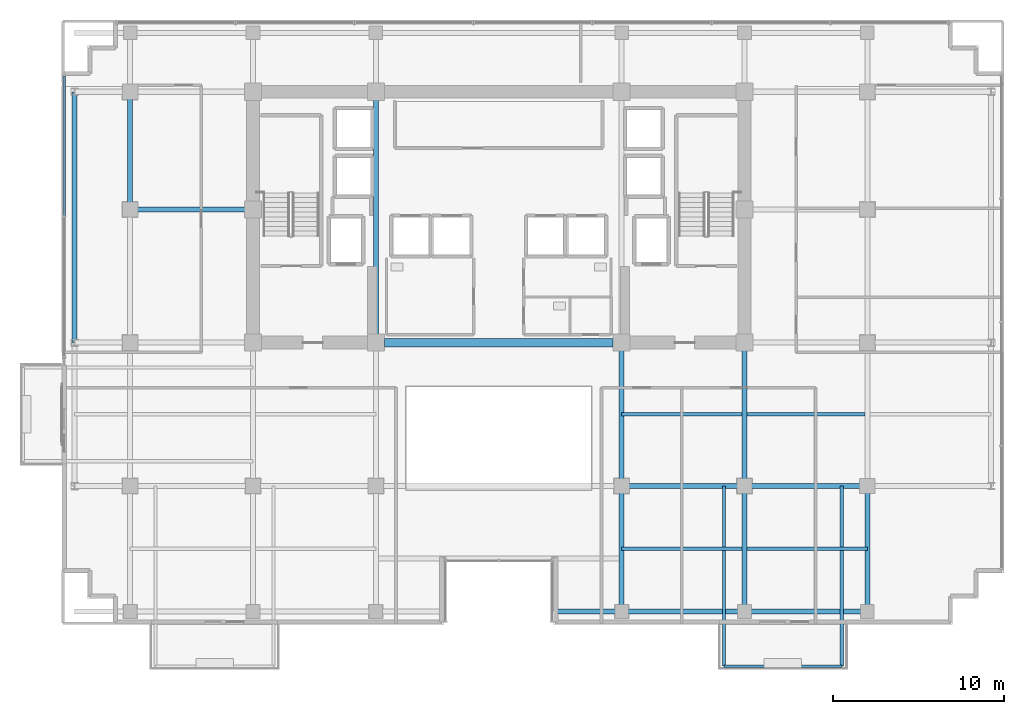
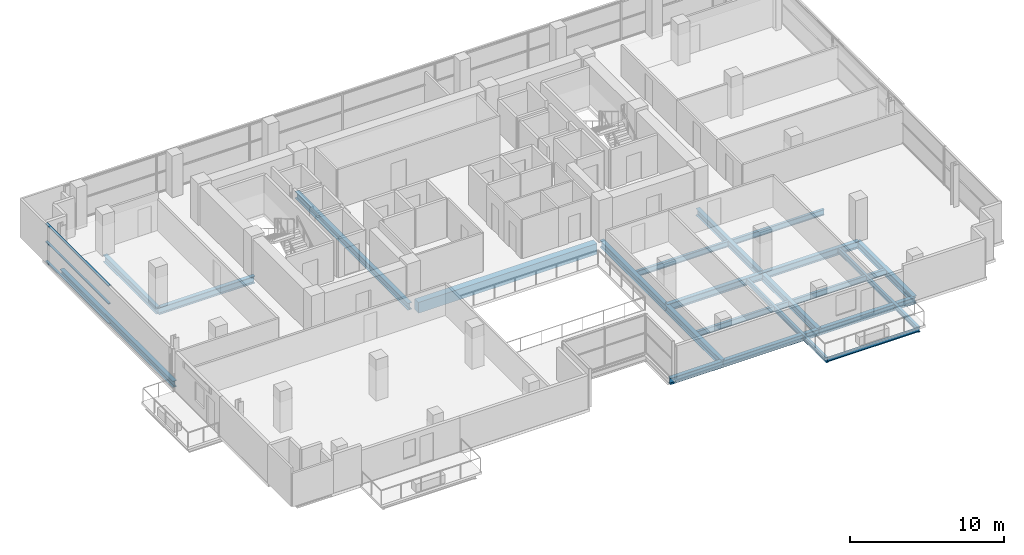
# One storey, part 6 of 23: 22 beams, 3 members, 1 element without a shape of its own.
"""IFC4 building model written with IfcOpenShell, lengths in metres."""

from ifc_helpers import new_model, si_unit, direction, frame, origin, origin_2d, place, context, subcontext, project, spatial, rectangle, hollow_rectangle, i_section, extrude, source, transform, mapped, material, layer, layer_set, material_profile, profile_set, type_object, element, aggregate, save


model = new_model("IFC4")

# Units and contexts
model_context = context("Model", 3, precision=1e-05, world=origin(), true_north=direction((0.0, 1.0)))
body_context = subcontext(model_context, "Body", "Model", "MODEL_VIEW")
ifc_project = project(units=[si_unit("LENGTHUNIT", "METRE"), si_unit("AREAUNIT", "SQUARE_METRE"), si_unit("VOLUMEUNIT", "CUBIC_METRE"), si_unit("PLANEANGLEUNIT", "RADIAN"), si_unit("MASSUNIT", "GRAM", prefix="KILO")], contexts=[model_context])

# Site, building, storey
site_placement = place(None, origin())
site = spatial("IfcSite", under=ifc_project, at=site_placement, CompositionType="ELEMENT")
building_placement = place(site_placement, origin())
building = spatial("IfcBuilding", under=site, at=building_placement, Name="Zarnakvel Exchange Tower", CompositionType="ELEMENT")
storey_placement = place(building_placement, frame((0.0, 0.0, 123.10009765625)))
storey = spatial("IfcBuildingStorey", under=building, at=storey_placement, Name="L34", CompositionType="ELEMENT", Elevation=123.10009765625)

# Beams
ifc_material_1 = material(Name="Steel S355", Category="steel")
ifc_material_profile_1 = material_profile(ifc_material_1, i_section(OverallWidth=0.18994140625, OverallDepth=0.449951171875, WebThickness=0.009521484375, FlangeThickness=0.0146484375, FilletRadius=0.02099609375, at=origin_2d()))
ifc_profile_set_1 = profile_set([ifc_material_profile_1], Name="Steel S355")
beam_type_1 = type_object("IfcBeamType", Name="B-05", PredefinedType="JOIST", material=ifc_profile_set_1)
for number, where, z_axis, x_axis, name in (
    (1, (7.199951171875, -13.27490234375, -0.4501953125), (1.0, 0.0, 0.0), (0.0, 1.0, 0.0), "L34 Composite Floor Secondary Joist"),
    (2, (14.550048828125, -13.27490234375, -0.4501953125), (1.0, 0.0, 0.0), (0.0, 1.0, 0.0), "L34 Composite Floor Secondary Joist"),
    (3, (7.199951171875, -5.39990234375, -0.4501953125), (1.0, 0.0, 0.0), (0.0, 1.0, 0.0), "L34 Composite Floor Secondary Joist"),
):
    element("IfcBeam", number, at=place(storey_placement, frame(where, z_axis=z_axis, x_axis=x_axis)), inside=storey, type_object=beam_type_1, Name=name, PredefinedType="JOIST", context=body_context, shape_type="SweptSolid", body=[
        extrude(i_section(OverallWidth=0.18994140625, OverallDepth=0.449951171875, WebThickness=0.009521484375, FlangeThickness=0.0146484375, FilletRadius=0.02099609375, at=origin_2d()), origin(), (0.0, 0.0, 1.0), 7.050048828125),
    ])
beam_1_placement = place(storey_placement, frame((14.550048828125, -5.39990234375, -0.4501953125), z_axis=(1.0, 0.0, 0.0), x_axis=(0.0, 1.0, 0.0)))
element("IfcBeam", 4, at=beam_1_placement, inside=storey, type_object=beam_type_1, Name="L34 Composite Floor Secondary Joist", PredefinedType="JOIST", context=body_context, shape_type="SweptSolid", body=[
    extrude(i_section(OverallWidth=0.18994140625, OverallDepth=0.449951171875, WebThickness=0.009521484375, FlangeThickness=0.0146484375, FilletRadius=0.02099609375, at=origin_2d()), origin(), (0.0, 0.0, 1.0), 6.89990234375),
])
ifc_material_profile_2 = material_profile(ifc_material_1, i_section(OverallWidth=0.179931640625, OverallDepth=0.39990234375, WebThickness=0.008544921875, FlangeThickness=0.013427734375, FilletRadius=0.02099609375, at=origin_2d()))
ifc_profile_set_2 = profile_set([ifc_material_profile_2], Name="Steel S355")
beam_type_2 = type_object("IfcBeamType", Name="B-06", PredefinedType="JOIST", material=ifc_profile_set_2)
for number, where, z_axis, x_axis, name in (
    (5, (13.199951171875, -9.60009765625, -0.425048828125), (0.0, -1.0, 0.0), (1.0, 0.0, 0.0), "L34 Continuous Back-Spanned Balcony Beam W"),
    (6, (20.10009765625, -9.60009765625, -0.425048828125), (0.0, -1.0, 0.0), (1.0, 0.0, 0.0), "L34 Continuous Back-Spanned Balcony Beam E"),
):
    element("IfcBeam", number, at=place(storey_placement, frame(where, z_axis=z_axis, x_axis=x_axis)), inside=storey, type_object=beam_type_2, Name=name, PredefinedType="JOIST", context=body_context, shape_type="SweptSolid", body=[
        extrude(i_section(OverallWidth=0.179931640625, OverallDepth=0.39990234375, WebThickness=0.008544921875, FlangeThickness=0.013427734375, FilletRadius=0.02099609375, at=origin_2d()), origin(), (0.0, 0.0, 1.0), 10.5498046875),
    ])
ifc_material_profile_3 = material_profile(ifc_material_1, i_section(OverallWidth=0.14990234375, OverallDepth=0.300048828125, WebThickness=0.007080078125, FlangeThickness=0.0107421875, FilletRadius=0.014892578125, at=origin_2d()))
ifc_profile_set_3 = profile_set([ifc_material_profile_3], Name="Steel S355")
beam_type_3 = type_object("IfcBeamType", Name="B-08", PredefinedType="JOIST", material=ifc_profile_set_3)
beam_2_placement = place(storey_placement, frame((13.199951171875, -20.14990234375, -0.375), z_axis=(1.0, 0.0, 0.0), x_axis=(0.0, 1.0, 0.0)))
element("IfcBeam", 7, at=beam_2_placement, inside=storey, type_object=beam_type_3, Name="L34 Balcony Edge Beam", PredefinedType="JOIST", context=body_context, shape_type="SweptSolid", body=[
    extrude(i_section(OverallWidth=0.14990234375, OverallDepth=0.300048828125, WebThickness=0.007080078125, FlangeThickness=0.0107421875, FilletRadius=0.014892578125, at=origin_2d()), origin(), (0.0, 0.0, 1.0), 6.900146484375),
])
ifc_material_2 = material(Name="Concrete C60/75", Category="concrete")
ifc_material_profile_4 = material_profile(ifc_material_2, rectangle(XDim=0.5, YDim=0.85009765625, at=origin_2d()))
ifc_profile_set_4 = profile_set([ifc_material_profile_4], Name="Concrete C60/75")
beam_type_4 = type_object("IfcBeamType", Name="CB-02", PredefinedType="LINTEL", material=ifc_profile_set_4)
beam_3_placement = place(storey_placement, frame((-6.699951171875, -1.199951171875, -0.650146484375), z_axis=(1.0, 0.0, 0.0), x_axis=(0.0, 1.0, 0.0)))
element("IfcBeam", 8, at=beam_3_placement, inside=storey, type_object=beam_type_4, Name="L34 Rear Core South Coupling Beam (CB-02)", PredefinedType="LINTEL", context=body_context, shape_type="SweptSolid", body=[
    extrude(rectangle(XDim=0.5, YDim=0.85009765625, at=origin_2d()), origin(), (0.0, 0.0, 1.0), 13.39990234375),
])
ifc_material_profile_5 = material_profile(ifc_material_1, i_section(OverallWidth=0.300048828125, OverallDepth=0.550048828125, WebThickness=0.014892578125, FlangeThickness=0.029052734375, FilletRadius=0.027099609375, at=origin_2d()))
ifc_profile_set_5 = profile_set([ifc_material_profile_5], Name="Steel S355")
beam_type_5 = type_object("IfcBeamType", Name="G-05", PredefinedType="BEAM", material=ifc_profile_set_5)
beam_4_placement = place(storey_placement, frame((7.199951171875, -9.60009765625, -0.5), z_axis=(1.0, 0.0, 0.0), x_axis=(0.0, 1.0, 0.0)))
element("IfcBeam", 9, at=beam_4_placement, inside=storey, type_object=beam_type_5, Name="L34 Tower E-W Frame Beam", PredefinedType="BEAM", context=body_context, shape_type="SweptSolid", body=[
    extrude(i_section(OverallWidth=0.300048828125, OverallDepth=0.550048828125, WebThickness=0.014892578125, FlangeThickness=0.029052734375, FilletRadius=0.027099609375, at=origin_2d()), origin(), (0.0, 0.0, 1.0), 7.199951171875),
])
for number, where, z_axis, x_axis, name in (
    (10, (14.39990234375, -9.60009765625, -0.5), (1.0, 0.0, 0.0), (0.0, 1.0, 0.0), "L34 Tower E-W Frame Beam"),
    (11, (-21.60009765625, 6.60009765625, -0.5), (1.0, 0.0, 0.0), (0.0, 1.0, 0.0), "L34 Tower E-W Frame Beam"),
):
    element("IfcBeam", number, at=place(storey_placement, frame(where, z_axis=z_axis, x_axis=x_axis)), inside=storey, type_object=beam_type_5, Name=name, PredefinedType="BEAM", context=body_context, shape_type="SweptSolid", body=[
        extrude(i_section(OverallWidth=0.300048828125, OverallDepth=0.550048828125, WebThickness=0.014892578125, FlangeThickness=0.029052734375, FilletRadius=0.027099609375, at=origin_2d()), origin(), (0.0, 0.0, 1.0), 7.2001953125),
    ])
beam_5_placement = place(storey_placement, frame((-21.60009765625, 6.60009765625, -0.5), z_axis=(0.0, 1.0, 0.0), x_axis=(-1.0, 0.0, 0.0)))
element("IfcBeam", 12, at=beam_5_placement, inside=storey, type_object=beam_type_5, Name="L34 Tower N-S Frame Beam", PredefinedType="BEAM", context=body_context, shape_type="SweptSolid", body=[
    extrude(i_section(OverallWidth=0.300048828125, OverallDepth=0.550048828125, WebThickness=0.014892578125, FlangeThickness=0.029052734375, FilletRadius=0.027099609375, at=origin_2d()), origin(), (0.0, 0.0, 1.0), 6.89990234375),
])
beam_6_placement = place(storey_placement, frame((-7.199951171875, -1.199951171875, -0.5), z_axis=(0.0, 1.0, 0.0), x_axis=(-1.0, 0.0, 0.0)))
element("IfcBeam", 13, at=beam_6_placement, inside=storey, type_object=beam_type_5, Name="L34 Tower N-S Frame Beam", PredefinedType="BEAM", context=body_context, shape_type="SweptSolid", body=[
    extrude(i_section(OverallWidth=0.300048828125, OverallDepth=0.550048828125, WebThickness=0.014892578125, FlangeThickness=0.029052734375, FilletRadius=0.027099609375, at=origin_2d()), origin(), (0.0, 0.0, 1.0), 14.699951171875),
])
beam_7_placement = place(storey_placement, frame((7.199951171875, -16.949951171875, -0.5), z_axis=(0.0, 1.0, 0.0), x_axis=(-1.0, 0.0, 0.0)))
element("IfcBeam", 14, at=beam_7_placement, inside=storey, type_object=beam_type_5, Name="L34 Tower N-S Frame Beam", PredefinedType="BEAM", context=body_context, shape_type="SweptSolid", body=[
    extrude(i_section(OverallWidth=0.300048828125, OverallDepth=0.550048828125, WebThickness=0.014892578125, FlangeThickness=0.029052734375, FilletRadius=0.027099609375, at=origin_2d()), origin(), (0.0, 0.0, 1.0), 7.349853515625),
])
beam_8_placement = place(storey_placement, frame((7.199951171875, -9.60009765625, -0.5), z_axis=(0.0, 1.0, 0.0), x_axis=(-1.0, 0.0, 0.0)))
element("IfcBeam", 15, at=beam_8_placement, inside=storey, type_object=beam_type_5, Name="L34 Tower N-S Frame Beam", PredefinedType="BEAM", context=body_context, shape_type="SweptSolid", body=[
    extrude(i_section(OverallWidth=0.300048828125, OverallDepth=0.550048828125, WebThickness=0.014892578125, FlangeThickness=0.029052734375, FilletRadius=0.027099609375, at=origin_2d()), origin(), (0.0, 0.0, 1.0), 8.400146484375),
])
beam_9_placement = place(storey_placement, frame((14.39990234375, -16.949951171875, -0.5), z_axis=(0.0, 1.0, 0.0), x_axis=(-1.0, 0.0, 0.0)))
element("IfcBeam", 16, at=beam_9_placement, inside=storey, type_object=beam_type_5, Name="L34 Tower N-S Frame Beam", PredefinedType="BEAM", context=body_context, shape_type="SweptSolid", body=[
    extrude(i_section(OverallWidth=0.300048828125, OverallDepth=0.550048828125, WebThickness=0.014892578125, FlangeThickness=0.029052734375, FilletRadius=0.027099609375, at=origin_2d()), origin(), (0.0, 0.0, 1.0), 7.349853515625),
])
beam_10_placement = place(storey_placement, frame((14.39990234375, -9.60009765625, -0.5), z_axis=(0.0, 1.0, 0.0), x_axis=(-1.0, 0.0, 0.0)))
element("IfcBeam", 17, at=beam_10_placement, inside=storey, type_object=beam_type_5, Name="L34 Tower N-S Frame Beam", PredefinedType="BEAM", context=body_context, shape_type="SweptSolid", body=[
    extrude(i_section(OverallWidth=0.300048828125, OverallDepth=0.550048828125, WebThickness=0.014892578125, FlangeThickness=0.029052734375, FilletRadius=0.027099609375, at=origin_2d()), origin(), (0.0, 0.0, 1.0), 8.400146484375),
])
beam_11_placement = place(storey_placement, frame((21.60009765625, -16.949951171875, -0.5), z_axis=(0.0, 1.0, 0.0), x_axis=(-1.0, 0.0, 0.0)))
element("IfcBeam", 18, at=beam_11_placement, inside=storey, type_object=beam_type_5, Name="L34 Tower N-S Frame Beam", PredefinedType="BEAM", context=body_context, shape_type="SweptSolid", body=[
    extrude(i_section(OverallWidth=0.300048828125, OverallDepth=0.550048828125, WebThickness=0.014892578125, FlangeThickness=0.029052734375, FilletRadius=0.027099609375, at=origin_2d()), origin(), (0.0, 0.0, 1.0), 7.349853515625),
])
ifc_material_profile_6 = material_profile(ifc_material_1, i_section(OverallWidth=0.300048828125, OverallDepth=0.5, WebThickness=0.014404296875, FlangeThickness=0.028076171875, FilletRadius=0.027099609375, at=origin_2d()))
ifc_profile_set_6 = profile_set([ifc_material_profile_6], Name="Steel S355")
beam_type_6 = type_object("IfcBeamType", Name="SP-02", PredefinedType="SPANDREL", material=ifc_profile_set_6)
beam_12_placement = place(storey_placement, frame((3.199951171875, -16.949951171875, -0.47509765625), z_axis=(1.0, 0.0, 0.0), x_axis=(0.0, 1.0, 0.0)))
element("IfcBeam", 19, at=beam_12_placement, inside=storey, type_object=beam_type_6, Name="L34 South Slot East Jamb Spandrel", PredefinedType="SPANDREL", context=body_context, shape_type="SweptSolid", body=[
    extrude(i_section(OverallWidth=0.300048828125, OverallDepth=0.5, WebThickness=0.014404296875, FlangeThickness=0.028076171875, FilletRadius=0.027099609375, at=origin_2d()), origin(), (0.0, 0.0, 1.0), 4.0),
])
beam_13_placement = place(storey_placement, frame((7.199951171875, -16.949951171875, -0.47509765625), z_axis=(1.0, 0.0, 0.0), x_axis=(0.0, 1.0, 0.0)))
element("IfcBeam", 20, at=beam_13_placement, inside=storey, type_object=beam_type_6, Name="L34 Tower E-W Frame Beam", PredefinedType="SPANDREL", context=body_context, shape_type="SweptSolid", body=[
    extrude(i_section(OverallWidth=0.300048828125, OverallDepth=0.5, WebThickness=0.014404296875, FlangeThickness=0.028076171875, FilletRadius=0.027099609375, at=origin_2d()), origin(), (0.0, 0.0, 1.0), 7.199951171875),
])
beam_14_placement = place(storey_placement, frame((14.39990234375, -16.949951171875, -0.47509765625), z_axis=(1.0, 0.0, 0.0), x_axis=(0.0, 1.0, 0.0)))
element("IfcBeam", 21, at=beam_14_placement, inside=storey, type_object=beam_type_6, Name="L34 Tower E-W Frame Beam", PredefinedType="SPANDREL", context=body_context, shape_type="SweptSolid", body=[
    extrude(i_section(OverallWidth=0.300048828125, OverallDepth=0.5, WebThickness=0.014404296875, FlangeThickness=0.028076171875, FilletRadius=0.027099609375, at=origin_2d()), origin(), (0.0, 0.0, 1.0), 7.2001953125),
])
beam_15_placement = place(storey_placement, frame((-24.85009765625, -1.199951171875, -0.47509765625), z_axis=(0.0, 1.0, 0.0), x_axis=(-1.0, 0.0, 0.0)))
element("IfcBeam", 22, at=beam_15_placement, inside=storey, type_object=beam_type_6, Name="L34 Tower N-S Frame Beam", PredefinedType="SPANDREL", context=body_context, shape_type="SweptSolid", body=[
    extrude(i_section(OverallWidth=0.300048828125, OverallDepth=0.5, WebThickness=0.014404296875, FlangeThickness=0.028076171875, FilletRadius=0.027099609375, at=origin_2d()), origin(), (0.0, 0.0, 1.0), 14.699951171875),
])

# Curtain wall, members
ifc_material_3 = material(Name="Architectural Bronze Anodised Aluminium", Category="aluminium")
ifc_layer = layer(ifc_material_3, 0.199951171875)
ifc_layer_set = layer_set([ifc_layer], Name="Architectural Bronze Anodised Aluminium")
curtain_wall_type = type_object("IfcCurtainWallType", Name="CW-04", PredefinedType="NOTDEFINED", material=ifc_layer_set)
curtain_wall_placement = place(storey_placement, origin())
curtain_wall = element("IfcCurtainWall", 23, at=curtain_wall_placement, inside=storey, type_object=curtain_wall_type, Name="L34 Curtain Wall CW-L34-WN (CW-04)", PredefinedType="NOTDEFINED")
ifc_material_profile_7 = material_profile(ifc_material_3, hollow_rectangle(XDim=0.159912109375, YDim=0.074951171875, WallThickness=0.00390625, at=origin_2d()))
ifc_profile_set_7 = profile_set([ifc_material_profile_7], Name="Architectural Bronze Anodised Aluminium")
member_type = type_object("IfcMemberType", Name="CWT-04", PredefinedType="USERDEFINED", material=ifc_profile_set_7)
shared_shape = source(origin(), body_context, "Body", "SweptSolid", [
    extrude(hollow_rectangle(XDim=0.159912109375, YDim=0.074951171875, WallThickness=0.00390625, at=origin_2d()), origin(), (0.0, 0.0, 1.0), 8.1875),
])
member_1_placement = place(storey_placement, frame((-25.4599609375, 6.237548828125, 0.037353515625), z_axis=(0.0, 1.0, 0.0), x_axis=(-1.0, 0.0, 0.0)))
member_1 = element("IfcMember", 24, at=member_1_placement, type_object=member_type, Name="CW-04 transom 2.1", ObjectType="TRANSOM", PredefinedType="USERDEFINED", context=body_context, shape_type="MappedRepresentation", body=[
    mapped(shared_shape, transform((0.0, 0.0, 0.0), x_axis=(1.0, 0.0, 0.0), y_axis=(0.0, 1.0, 0.0), z_axis=(0.0, 0.0, 1.0), scale=1.0)),
])
member_2_placement = place(storey_placement, frame((-25.4599609375, 6.237548828125, 1.588623046875), z_axis=(0.0, 1.0, 0.0), x_axis=(-1.0, 0.0, 0.0)))
member_2 = element("IfcMember", 25, at=member_2_placement, type_object=member_type, Name="CW-04 transom 2.2", ObjectType="TRANSOM", PredefinedType="USERDEFINED", context=body_context, shape_type="MappedRepresentation", body=[
    mapped(shared_shape, transform((0.0, 0.0, 0.0), x_axis=(1.0, 0.0, 0.0), y_axis=(0.0, 1.0, 0.0), z_axis=(0.0, 0.0, 1.0), scale=1.0)),
])
member_3_placement = place(storey_placement, frame((-25.4599609375, 6.237548828125, 3.017333984375), z_axis=(0.0, 1.0, 0.0), x_axis=(-1.0, 0.0, 0.0)))
member_3 = element("IfcMember", 26, at=member_3_placement, type_object=member_type, Name="CW-04 transom 2.3", ObjectType="TRANSOM", PredefinedType="USERDEFINED", context=body_context, shape_type="MappedRepresentation", body=[
    mapped(shared_shape, transform((0.0, 0.0, 0.0), x_axis=(1.0, 0.0, 0.0), y_axis=(0.0, 1.0, 0.0), z_axis=(0.0, 0.0, 1.0), scale=1.0)),
])
aggregate(curtain_wall, [member_1, member_2, member_3])

save(model, "model.ifc")
